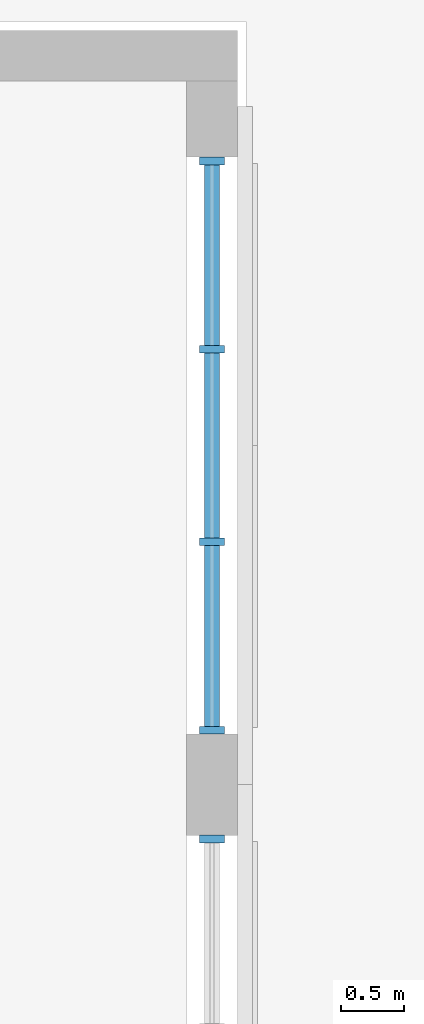
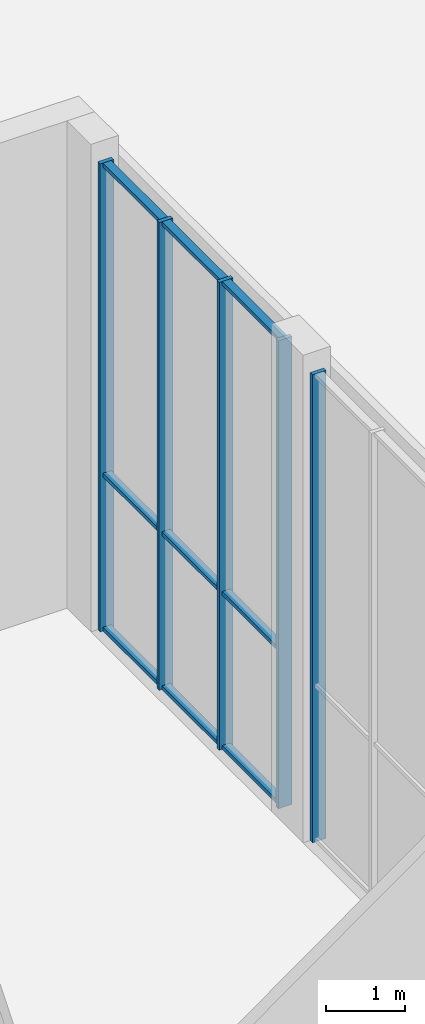
# One storey, part 28 of 79: 14 members, 2 elements without a shape of their own.
"""IFC4 building model written with IfcOpenShell, lengths in metres."""

import ifcopenshell
import ifcopenshell.guid

model = None  # the IFC model being written
_history = None  # IfcOwnerHistory: only IFC2X3 demands one
_inside = {}  # id of a spatial element -> (the spatial element, [elements in it])
_under = {}  # id of a project, library or spatial element -> (it, [spatial elements below it])
_declared = {}  # id of a project -> (the project, [libraries it declares])
_typed = {}  # id of a type object -> (the type object, [elements of that type])
_made_of = {}  # id of a material, layer set ... -> (it, [elements and type objects made of it])


def new_model(schema):
    """Start an empty IFC model of exactly this schema.

    Asked for "IFC4X3", IfcOpenShell would pick the latest addendum, in which some entities
    have other attributes; the version numbers below select the first issue.
    IFC2X3 requires an IfcOwnerHistory on every rooted entity: one is made here for all.
    """
    global model, _history
    if schema == "IFC4X3":
        model = ifcopenshell.file(schema_version=(4, 3, 0, 0))
    else:
        model = ifcopenshell.file(schema=schema)
    _inside.clear()
    _under.clear()
    _declared.clear()
    _typed.clear()
    _made_of.clear()
    _history = None
    if model.schema == "IFC2X3":
        org = make("IfcOrganization", Name="unknown")
        user = make(
            "IfcPersonAndOrganization",
            ThePerson=make("IfcPerson", FamilyName="unknown"),
            TheOrganization=org,
        )
        app = make(
            "IfcApplication",
            ApplicationDeveloper=org,
            Version="unknown",
            ApplicationFullName="unknown",
            ApplicationIdentifier="unknown",
        )
        _history = make(
            "IfcOwnerHistory",
            OwningUser=user,
            OwningApplication=app,
            ChangeAction="ADDED",
            CreationDate=0,
        )
    return model


def make(cls, **values):
    """One entity of the class cls with the attributes given. An attribute that is None is left unset."""
    return model.create_entity(
        cls, **{name: value for name, value in values.items() if value is not None}
    )


def rooted(cls, **values):
    """An entity with a GlobalId (a new one), such as an element, a storey or a relation."""
    return make(cls, GlobalId=ifcopenshell.guid.new(), OwnerHistory=_history, **values)


def si_unit(unit_type, name, prefix=None):
    """IfcSIUnit, for example si_unit("LENGTHUNIT", "METRE", prefix="MILLI")."""
    return make("IfcSIUnit", UnitType=unit_type, Prefix=prefix, Name=name)


def assignment(units):
    """IfcUnitAssignment: the units of a project."""
    return None if units is None else make("IfcUnitAssignment", Units=units)


def point(xyz):
    """IfcCartesianPoint."""
    return None if xyz is None else make("IfcCartesianPoint", Coordinates=xyz)


def direction(xyz):
    """IfcDirection."""
    return None if xyz is None else make("IfcDirection", DirectionRatios=xyz)


def frame(location, z_axis=None, x_axis=None):
    """IfcAxis2Placement3D, a coordinate frame: its origin and axes. An axis left out is left unset."""
    return make(
        "IfcAxis2Placement3D",
        Location=point(location),
        Axis=direction(z_axis),
        RefDirection=direction(x_axis),
    )


def frame_2d(location, x_axis=None):
    """IfcAxis2Placement2D, a coordinate frame in the plane: its origin and x axis."""
    return make(
        "IfcAxis2Placement2D", Location=point(location), RefDirection=direction(x_axis)
    )


def origin():
    """The frame at (0, 0, 0) with its axes left unset."""
    return frame((0.0, 0.0, 0.0))


def origin_2d():
    """The frame at (0, 0) in the plane with its x axis left unset."""
    return frame_2d((0.0, 0.0))


def place(relative_to, where):
    """IfcLocalPlacement: puts the frame where relative to a parent placement (None: the world)."""
    return make(
        "IfcLocalPlacement", PlacementRelTo=relative_to, RelativePlacement=where
    )


def context(
    kind, dimensions, precision=None, world=None, true_north=None, identifier=None
):
    """IfcGeometricRepresentationContext, for example the 3D "Model" context."""
    return make(
        "IfcGeometricRepresentationContext",
        ContextIdentifier=identifier,
        ContextType=kind,
        CoordinateSpaceDimension=dimensions,
        Precision=precision,
        WorldCoordinateSystem=world,
        TrueNorth=true_north,
    )


def subcontext(parent, identifier, kind, view, scale=None):
    """IfcGeometricRepresentationSubContext, for example "Body" below "Model"."""
    return make(
        "IfcGeometricRepresentationSubContext",
        ContextIdentifier=identifier,
        ContextType=kind,
        ParentContext=parent,
        TargetScale=scale,
        TargetView=view,
    )


def project(units=None, contexts=None):
    """IfcProject with its units and contexts."""
    return rooted(
        "IfcProject",
        Name="project",
        RepresentationContexts=contexts,
        UnitsInContext=assignment(units),
    )


def spatial(cls, under=None, at=None, **own):
    """A site, building, storey or space (cls), placed at a placement, below another one or the project."""
    s = rooted(cls, ObjectPlacement=at, **own)
    if under is not None:
        _under.setdefault(under.id(), (under, []))[1].append(s)
    return s


def profile(cls, at=None, kind="AREA", **sizes):
    """A parametric profile (cls). Its sizes go by their IFC names, for example OverallWidth=200.0."""
    return make(cls, ProfileType=kind, Position=at, **sizes)


def rectangle(**sizes):
    """IfcRectangleProfileDef."""
    return profile("IfcRectangleProfileDef", **sizes)


def extrude(swept, where, along, depth):
    """IfcExtrudedAreaSolid: the profile swept, set in the frame where, extruded along a direction by depth."""
    return make(
        "IfcExtrudedAreaSolid",
        SweptArea=swept,
        Position=where,
        ExtrudedDirection=direction(along),
        Depth=depth,
    )


def shape(context_of_items, identifier, shape_type, items):
    """IfcShapeRepresentation: the items that make up one representation, for example the "Body"."""
    return make(
        "IfcShapeRepresentation",
        ContextOfItems=context_of_items,
        RepresentationIdentifier=identifier,
        RepresentationType=shape_type,
        Items=items,
    )


def material(Name=None, Category=None):
    """IfcMaterial."""
    return make("IfcMaterial", Name=Name, Category=Category)


def layer(
    of_material, thickness, ventilated=None, Name=None, Category=None, Priority=None
):
    """IfcMaterialLayer: one layer of a wall or slab, of a material (None: an air gap)."""
    return make(
        "IfcMaterialLayer",
        Material=of_material,
        LayerThickness=thickness,
        IsVentilated=ventilated,
        Name=Name,
        Category=Category,
        Priority=Priority,
    )


def layer_set(layers, Name=None):
    """IfcMaterialLayerSet."""
    return make("IfcMaterialLayerSet", MaterialLayers=layers, LayerSetName=Name)


def material_profile(
    of_material, cross_section, Name=None, Category=None, Priority=None
):
    """IfcMaterialProfile: a cross section and its material."""
    return make(
        "IfcMaterialProfile",
        Name=Name,
        Material=of_material,
        Profile=cross_section,
        Priority=Priority,
        Category=Category,
    )


def profile_set(profiles, Name=None, composite=None):
    """IfcMaterialProfileSet."""
    return make(
        "IfcMaterialProfileSet",
        Name=Name,
        MaterialProfiles=profiles,
        CompositeProfile=composite,
    )


def made_of(thing, what):
    """Note that an element or type object is made of a material, layer set ...; save() writes the relation."""
    if what is not None:
        _made_of.setdefault(what.id(), (what, []))[1].append(thing)
    return thing


def type_object(cls, material=None, **own):
    """A type object (cls), such as IfcWallType, which elements share."""
    return made_of(rooted(cls, **own), material)


def element(
    cls,
    number,
    at=None,
    inside=None,
    cuts=None,
    type_object=None,
    material=None,
    context=None,
    identifier="Body",
    shape_type=None,
    held_by="IfcProductDefinitionShape",
    body=None,
    shapes=None,
    **own,
):
    """One element of the class cls, such as IfcWall. Its Tag is "e" and its number.

    at: its placement. inside: the storey or other place that contains it. cuts: it is an
    opening in that element (IfcRelVoidsElement). A single representation is given by context,
    identifier, shape_type and body (its items); several are given by shapes. held_by: the class
    of the entity that holds the representations. save() writes the other relations.
    """
    e = rooted(cls, Tag="e%d" % number, ObjectPlacement=at, **own)
    if body is not None:
        shapes = [shape(context, identifier, shape_type, body)]
    if shapes is not None:
        e.Representation = make(held_by, Representations=shapes)
    if inside is not None:
        _inside.setdefault(inside.id(), (inside, []))[1].append(e)
    if cuts is not None:
        rooted(
            "IfcRelVoidsElement", RelatingBuildingElement=cuts, RelatedOpeningElement=e
        )
    if type_object is not None:
        _typed.setdefault(type_object.id(), (type_object, []))[1].append(e)
    return made_of(e, material)


def aggregate(whole, parts):
    """IfcRelAggregates: a whole, such as a stair, and the parts it consists of."""
    return rooted("IfcRelAggregates", RelatingObject=whole, RelatedObjects=parts)


def save(model, path):
    """Write the relations noted so far, then the file.

    IfcRelAggregates (storeys below a building ...), IfcRelContainedInSpatialStructure (elements
    in a storey), IfcRelDefinesByType, IfcRelAssociatesMaterial and IfcRelDeclares: one each for
    every whole, place, type object, material and project.
    """
    for whole, parts in _under.values():
        aggregate(whole, parts)
    for where, things in _inside.values():
        rooted(
            "IfcRelContainedInSpatialStructure",
            RelatedElements=things,
            RelatingStructure=where,
        )
    for kind, things in _typed.values():
        rooted("IfcRelDefinesByType", RelatedObjects=things, RelatingType=kind)
    for what, things in _made_of.values():
        rooted("IfcRelAssociatesMaterial", RelatedObjects=things, RelatingMaterial=what)
    for by, libraries in _declared.values():
        rooted("IfcRelDeclares", RelatingContext=by, RelatedDefinitions=libraries)
    model.write(path)


model = new_model("IFC4")

# Units and contexts
model_context = context("Model", 3, precision=1e-05, world=origin(), true_north=direction((0.0, 1.0)))
body_context = subcontext(model_context, "Body", "Model", "MODEL_VIEW")
ifc_project = project(units=[si_unit("LENGTHUNIT", "METRE"), si_unit("AREAUNIT", "SQUARE_METRE"), si_unit("VOLUMEUNIT", "CUBIC_METRE"), si_unit("PLANEANGLEUNIT", "RADIAN"), si_unit("MASSUNIT", "GRAM", prefix="KILO")], contexts=[model_context])

# Site, building, storey
site_placement = place(None, origin())
site = spatial("IfcSite", under=ifc_project, at=site_placement, CompositionType="ELEMENT")
building_placement = place(site_placement, origin())
building = spatial("IfcBuilding", under=site, at=building_placement, Name="Noorbagh Ring Tower", CompositionType="ELEMENT")
storey_placement = place(building_placement, origin())
storey = spatial("IfcBuildingStorey", under=building, at=storey_placement, Name="L00", CompositionType="ELEMENT", Elevation=0.0)

# Curtain wall, member
ifc_material_1 = material(Name="Aluminium and glass", Category="aluminium")
ifc_layer = layer(ifc_material_1, 0.199951171875)
ifc_layer_set = layer_set([ifc_layer], Name="Aluminium and glass")
curtain_wall_type = type_object("IfcCurtainWallType", Name="TH-CW", PredefinedType="NOTDEFINED", material=ifc_layer_set)
curtain_wall_1_placement = place(storey_placement, origin())
curtain_wall_1 = element("IfcCurtainWall", 1, at=curtain_wall_1_placement, inside=storey, type_object=curtain_wall_type, Name="Foyer glazing", PredefinedType="NOTDEFINED")
ifc_material_2 = material(Name="Aluminium", Category="aluminium")
ifc_material_profile_1 = material_profile(ifc_material_2, rectangle(XDim=0.199951171875, YDim=0.06005859375, at=origin_2d()), Name="AL 200x60")
ifc_profile_set_1 = profile_set([ifc_material_profile_1], Name="Aluminium")
member_type_1 = type_object("IfcMemberType", Name="TH-CW-MULLION", PredefinedType="MULLION", material=ifc_profile_set_1)
member_1_placement = place(storey_placement, frame((-95.199951171875, 24.6201171875, 0.0), z_axis=(0.0, 0.0, 1.0), x_axis=(-1.0, 0.0, 0.0)))
member_1 = element("IfcMember", 2, at=member_1_placement, type_object=member_type_1, Name="CW-T mullion 4", PredefinedType="MULLION", context=body_context, shape_type="SweptSolid", body=[
    extrude(rectangle(XDim=0.199951171875, YDim=0.06005859375, at=origin_2d()), origin(), (0.0, 0.0, 1.0), 7.199951171875),
])
aggregate(curtain_wall_1, [member_1])

# Curtain wall, members
curtain_wall_2_placement = place(storey_placement, origin())
curtain_wall_2 = element("IfcCurtainWall", 3, at=curtain_wall_2_placement, inside=storey, type_object=curtain_wall_type, Name="Foyer glazing", PredefinedType="NOTDEFINED")
member_2_placement = place(storey_placement, frame((-95.199951171875, 25.47998046875, 0.0), z_axis=(0.0, 0.0, 1.0), x_axis=(-1.0, 0.0, 0.0)))
member_2 = element("IfcMember", 4, at=member_2_placement, type_object=member_type_1, Name="CW-T mullion 1", PredefinedType="MULLION", context=body_context, shape_type="SweptSolid", body=[
    extrude(rectangle(XDim=0.199951171875, YDim=0.06005859375, at=origin_2d()), origin(), (0.0, 0.0, 1.0), 7.199951171875),
])
member_3_placement = place(storey_placement, frame((-95.199951171875, 26.966552734375, 0.0), z_axis=(0.0, 0.0, 1.0), x_axis=(-1.0, 0.0, 0.0)))
member_3 = element("IfcMember", 5, at=member_3_placement, type_object=member_type_1, Name="CW-T mullion 2", PredefinedType="MULLION", context=body_context, shape_type="SweptSolid", body=[
    extrude(rectangle(XDim=0.199951171875, YDim=0.06005859375, at=origin_2d()), origin(), (0.0, 0.0, 1.0), 7.199951171875),
])
member_4_placement = place(storey_placement, frame((-95.199951171875, 28.4833984375, 0.0), z_axis=(0.0, 0.0, 1.0), x_axis=(-1.0, 0.0, 0.0)))
member_4 = element("IfcMember", 6, at=member_4_placement, type_object=member_type_1, Name="CW-T mullion 3", PredefinedType="MULLION", context=body_context, shape_type="SweptSolid", body=[
    extrude(rectangle(XDim=0.199951171875, YDim=0.06005859375, at=origin_2d()), origin(), (0.0, 0.0, 1.0), 7.199951171875),
])
member_5_placement = place(storey_placement, frame((-95.199951171875, 29.969970703125, 0.0), z_axis=(0.0, 0.0, 1.0), x_axis=(-1.0, 0.0, 0.0)))
member_5 = element("IfcMember", 7, at=member_5_placement, type_object=member_type_1, Name="CW-T mullion 4", PredefinedType="MULLION", context=body_context, shape_type="SweptSolid", body=[
    extrude(rectangle(XDim=0.199951171875, YDim=0.06005859375, at=origin_2d()), origin(), (0.0, 0.0, 1.0), 7.199951171875),
])
ifc_material_3 = material(Name="Aluminium", Category="aluminium")
ifc_material_profile_2 = material_profile(ifc_material_3, rectangle(XDim=0.1201171875, YDim=0.06005859375, at=origin_2d()), Name="AL 120x60")
ifc_profile_set_2 = profile_set([ifc_material_profile_2], Name="Aluminium")
member_type_2 = type_object("IfcMemberType", Name="TH-CW-TRANSOM", PredefinedType="USERDEFINED", material=ifc_profile_set_2)
member_6_placement = place(storey_placement, frame((-95.199951171875, 25.510009765625, 0.030029296875), z_axis=(0.0, 1.0, 0.0), x_axis=(-1.0, 0.0, 0.0)))
member_6 = element("IfcMember", 8, at=member_6_placement, type_object=member_type_2, Name="CW-T transom 1.1", ObjectType="TRANSOM", PredefinedType="USERDEFINED", context=body_context, shape_type="SweptSolid", body=[
    extrude(rectangle(XDim=0.1201171875, YDim=0.06005859375, at=origin_2d()), origin(), (0.0, 0.0, 1.0), 1.4267578125),
])
member_7_placement = place(storey_placement, frame((-95.199951171875, 25.510009765625, 2.39990234375), z_axis=(0.0, 1.0, 0.0), x_axis=(-1.0, 0.0, 0.0)))
member_7 = element("IfcMember", 9, at=member_7_placement, type_object=member_type_2, Name="CW-T transom 1.2", ObjectType="TRANSOM", PredefinedType="USERDEFINED", context=body_context, shape_type="SweptSolid", body=[
    extrude(rectangle(XDim=0.1201171875, YDim=0.06005859375, at=origin_2d()), origin(), (0.0, 0.0, 1.0), 1.4267578125),
])
member_8_placement = place(storey_placement, frame((-95.199951171875, 25.510009765625, 7.169921875), z_axis=(0.0, 1.0, 0.0), x_axis=(-1.0, 0.0, 0.0)))
member_8 = element("IfcMember", 10, at=member_8_placement, type_object=member_type_2, Name="CW-T transom 1.3", ObjectType="TRANSOM", PredefinedType="USERDEFINED", context=body_context, shape_type="SweptSolid", body=[
    extrude(rectangle(XDim=0.1201171875, YDim=0.06005859375, at=origin_2d()), origin(), (0.0, 0.0, 1.0), 1.4267578125),
])
member_9_placement = place(storey_placement, frame((-95.199951171875, 26.99658203125, 0.030029296875), z_axis=(0.0, 1.0, 0.0), x_axis=(-1.0, 0.0, 0.0)))
member_9 = element("IfcMember", 11, at=member_9_placement, type_object=member_type_2, Name="CW-T transom 2.1", ObjectType="TRANSOM", PredefinedType="USERDEFINED", context=body_context, shape_type="SweptSolid", body=[
    extrude(rectangle(XDim=0.1201171875, YDim=0.06005859375, at=origin_2d()), origin(), (0.0, 0.0, 1.0), 1.456787109375),
])
member_10_placement = place(storey_placement, frame((-95.199951171875, 26.99658203125, 2.39990234375), z_axis=(0.0, 1.0, 0.0), x_axis=(-1.0, 0.0, 0.0)))
member_10 = element("IfcMember", 12, at=member_10_placement, type_object=member_type_2, Name="CW-T transom 2.2", ObjectType="TRANSOM", PredefinedType="USERDEFINED", context=body_context, shape_type="SweptSolid", body=[
    extrude(rectangle(XDim=0.1201171875, YDim=0.06005859375, at=origin_2d()), origin(), (0.0, 0.0, 1.0), 1.456787109375),
])
member_11_placement = place(storey_placement, frame((-95.199951171875, 26.99658203125, 7.169921875), z_axis=(0.0, 1.0, 0.0), x_axis=(-1.0, 0.0, 0.0)))
member_11 = element("IfcMember", 13, at=member_11_placement, type_object=member_type_2, Name="CW-T transom 2.3", ObjectType="TRANSOM", PredefinedType="USERDEFINED", context=body_context, shape_type="SweptSolid", body=[
    extrude(rectangle(XDim=0.1201171875, YDim=0.06005859375, at=origin_2d()), origin(), (0.0, 0.0, 1.0), 1.456787109375),
])
member_12_placement = place(storey_placement, frame((-95.199951171875, 28.513427734375, 0.030029296875), z_axis=(0.0, 1.0, 0.0), x_axis=(-1.0, 0.0, 0.0)))
member_12 = element("IfcMember", 14, at=member_12_placement, type_object=member_type_2, Name="CW-T transom 3.1", ObjectType="TRANSOM", PredefinedType="USERDEFINED", context=body_context, shape_type="SweptSolid", body=[
    extrude(rectangle(XDim=0.1201171875, YDim=0.06005859375, at=origin_2d()), origin(), (0.0, 0.0, 1.0), 1.426513671875),
])
member_13_placement = place(storey_placement, frame((-95.199951171875, 28.513427734375, 2.39990234375), z_axis=(0.0, 1.0, 0.0), x_axis=(-1.0, 0.0, 0.0)))
member_13 = element("IfcMember", 15, at=member_13_placement, type_object=member_type_2, Name="CW-T transom 3.2", ObjectType="TRANSOM", PredefinedType="USERDEFINED", context=body_context, shape_type="SweptSolid", body=[
    extrude(rectangle(XDim=0.1201171875, YDim=0.06005859375, at=origin_2d()), origin(), (0.0, 0.0, 1.0), 1.426513671875),
])
member_14_placement = place(storey_placement, frame((-95.199951171875, 28.513427734375, 7.169921875), z_axis=(0.0, 1.0, 0.0), x_axis=(-1.0, 0.0, 0.0)))
member_14 = element("IfcMember", 16, at=member_14_placement, type_object=member_type_2, Name="CW-T transom 3.3", ObjectType="TRANSOM", PredefinedType="USERDEFINED", context=body_context, shape_type="SweptSolid", body=[
    extrude(rectangle(XDim=0.1201171875, YDim=0.06005859375, at=origin_2d()), origin(), (0.0, 0.0, 1.0), 1.426513671875),
])
aggregate(curtain_wall_2, [member_2, member_3, member_4, member_5, member_6, member_7, member_8, member_9, member_10, member_11, member_12, member_13, member_14])

save(model, "model.ifc")
